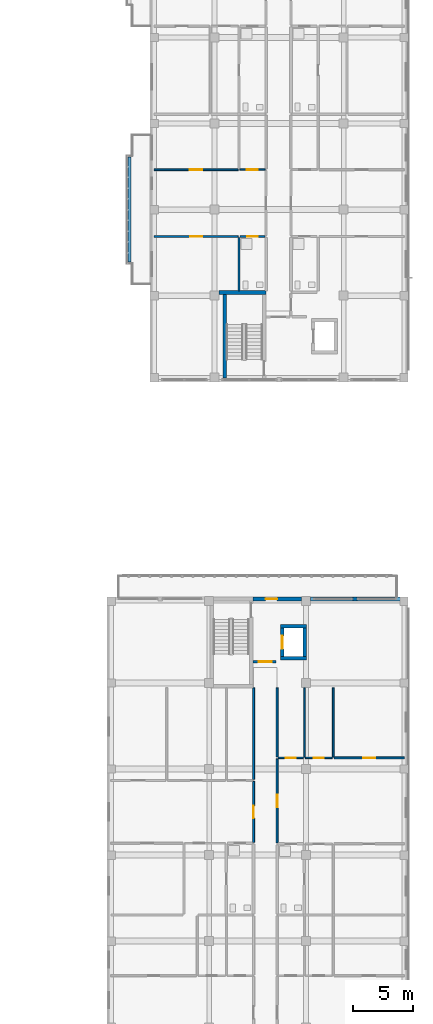
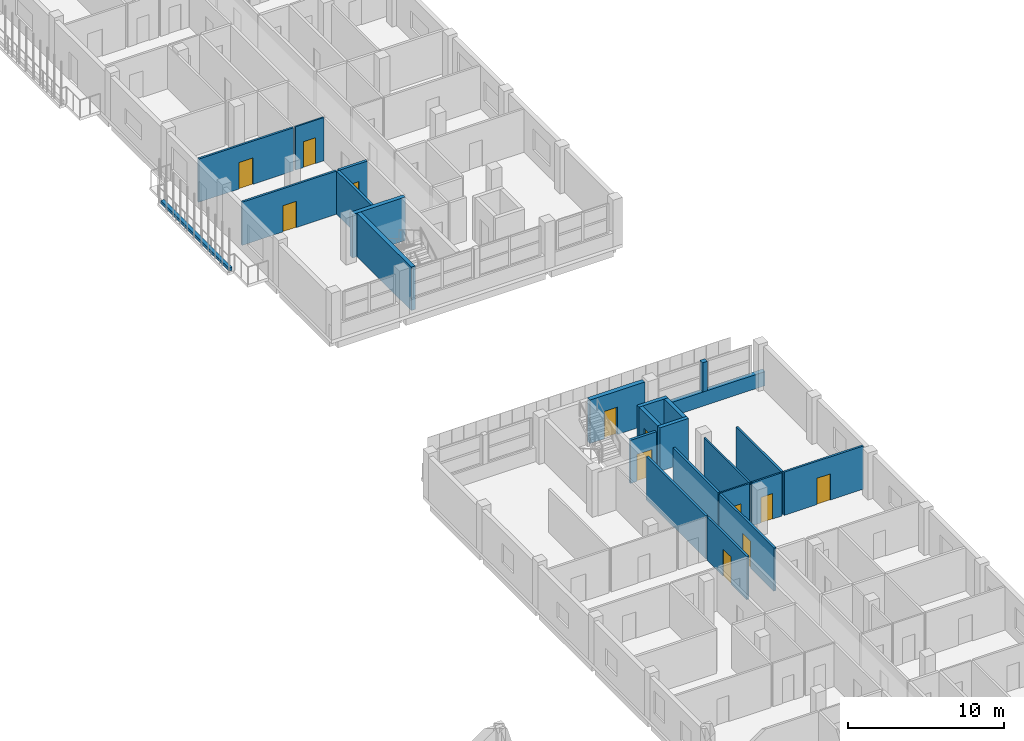
# One storey, part 49 of 73: 25 walls, 12 doors, 12 openings.
"""IFC4 building model written with IfcOpenShell, lengths in metres."""

import ifcopenshell
import ifcopenshell.guid

model = None  # the IFC model being written
_history = None  # IfcOwnerHistory: only IFC2X3 demands one
_inside = {}  # id of a spatial element -> (the spatial element, [elements in it])
_under = {}  # id of a project, library or spatial element -> (it, [spatial elements below it])
_declared = {}  # id of a project -> (the project, [libraries it declares])
_typed = {}  # id of a type object -> (the type object, [elements of that type])
_made_of = {}  # id of a material, layer set ... -> (it, [elements and type objects made of it])


def new_model(schema):
    """Start an empty IFC model of exactly this schema.

    Asked for "IFC4X3", IfcOpenShell would pick the latest addendum, in which some entities
    have other attributes; the version numbers below select the first issue.
    IFC2X3 requires an IfcOwnerHistory on every rooted entity: one is made here for all.
    """
    global model, _history
    if schema == "IFC4X3":
        model = ifcopenshell.file(schema_version=(4, 3, 0, 0))
    else:
        model = ifcopenshell.file(schema=schema)
    _inside.clear()
    _under.clear()
    _declared.clear()
    _typed.clear()
    _made_of.clear()
    _history = None
    if model.schema == "IFC2X3":
        org = make("IfcOrganization", Name="unknown")
        user = make(
            "IfcPersonAndOrganization",
            ThePerson=make("IfcPerson", FamilyName="unknown"),
            TheOrganization=org,
        )
        app = make(
            "IfcApplication",
            ApplicationDeveloper=org,
            Version="unknown",
            ApplicationFullName="unknown",
            ApplicationIdentifier="unknown",
        )
        _history = make(
            "IfcOwnerHistory",
            OwningUser=user,
            OwningApplication=app,
            ChangeAction="ADDED",
            CreationDate=0,
        )
    return model


def make(cls, **values):
    """One entity of the class cls with the attributes given. An attribute that is None is left unset."""
    return model.create_entity(
        cls, **{name: value for name, value in values.items() if value is not None}
    )


def rooted(cls, **values):
    """An entity with a GlobalId (a new one), such as an element, a storey or a relation."""
    return make(cls, GlobalId=ifcopenshell.guid.new(), OwnerHistory=_history, **values)


def si_unit(unit_type, name, prefix=None):
    """IfcSIUnit, for example si_unit("LENGTHUNIT", "METRE", prefix="MILLI")."""
    return make("IfcSIUnit", UnitType=unit_type, Prefix=prefix, Name=name)


def derived_unit(unit_type, elements):
    """IfcDerivedUnit: a product of units, each with its exponent."""
    return make(
        "IfcDerivedUnit",
        Elements=[
            make("IfcDerivedUnitElement", Unit=unit, Exponent=power)
            for unit, power in elements
        ],
        UnitType=unit_type,
    )


def assignment(units):
    """IfcUnitAssignment: the units of a project."""
    return None if units is None else make("IfcUnitAssignment", Units=units)


def point(xyz):
    """IfcCartesianPoint."""
    return None if xyz is None else make("IfcCartesianPoint", Coordinates=xyz)


def direction(xyz):
    """IfcDirection."""
    return None if xyz is None else make("IfcDirection", DirectionRatios=xyz)


def frame(location, z_axis=None, x_axis=None):
    """IfcAxis2Placement3D, a coordinate frame: its origin and axes. An axis left out is left unset."""
    return make(
        "IfcAxis2Placement3D",
        Location=point(location),
        Axis=direction(z_axis),
        RefDirection=direction(x_axis),
    )


def frame_2d(location, x_axis=None):
    """IfcAxis2Placement2D, a coordinate frame in the plane: its origin and x axis."""
    return make(
        "IfcAxis2Placement2D", Location=point(location), RefDirection=direction(x_axis)
    )


def origin():
    """The frame at (0, 0, 0) with its axes left unset."""
    return frame((0.0, 0.0, 0.0))


def place(relative_to, where):
    """IfcLocalPlacement: puts the frame where relative to a parent placement (None: the world)."""
    return make(
        "IfcLocalPlacement", PlacementRelTo=relative_to, RelativePlacement=where
    )


def context(
    kind, dimensions, precision=None, world=None, true_north=None, identifier=None
):
    """IfcGeometricRepresentationContext, for example the 3D "Model" context."""
    return make(
        "IfcGeometricRepresentationContext",
        ContextIdentifier=identifier,
        ContextType=kind,
        CoordinateSpaceDimension=dimensions,
        Precision=precision,
        WorldCoordinateSystem=world,
        TrueNorth=true_north,
    )


def subcontext(parent, identifier, kind, view, scale=None):
    """IfcGeometricRepresentationSubContext, for example "Body" below "Model"."""
    return make(
        "IfcGeometricRepresentationSubContext",
        ContextIdentifier=identifier,
        ContextType=kind,
        ParentContext=parent,
        TargetScale=scale,
        TargetView=view,
    )


def project(units=None, contexts=None):
    """IfcProject with its units and contexts."""
    return rooted(
        "IfcProject",
        Name="project",
        RepresentationContexts=contexts,
        UnitsInContext=assignment(units),
    )


def spatial(cls, under=None, at=None, **own):
    """A site, building, storey or space (cls), placed at a placement, below another one or the project."""
    s = rooted(cls, ObjectPlacement=at, **own)
    if under is not None:
        _under.setdefault(under.id(), (under, []))[1].append(s)
    return s


def profile(cls, at=None, kind="AREA", **sizes):
    """A parametric profile (cls). Its sizes go by their IFC names, for example OverallWidth=200.0."""
    return make(cls, ProfileType=kind, Position=at, **sizes)


def rectangle(**sizes):
    """IfcRectangleProfileDef."""
    return profile("IfcRectangleProfileDef", **sizes)


def extrude(swept, where, along, depth):
    """IfcExtrudedAreaSolid: the profile swept, set in the frame where, extruded along a direction by depth."""
    return make(
        "IfcExtrudedAreaSolid",
        SweptArea=swept,
        Position=where,
        ExtrudedDirection=direction(along),
        Depth=depth,
    )


def shape(context_of_items, identifier, shape_type, items):
    """IfcShapeRepresentation: the items that make up one representation, for example the "Body"."""
    return make(
        "IfcShapeRepresentation",
        ContextOfItems=context_of_items,
        RepresentationIdentifier=identifier,
        RepresentationType=shape_type,
        Items=items,
    )


def material(Name=None, Category=None):
    """IfcMaterial."""
    return make("IfcMaterial", Name=Name, Category=Category)


def layer(
    of_material, thickness, ventilated=None, Name=None, Category=None, Priority=None
):
    """IfcMaterialLayer: one layer of a wall or slab, of a material (None: an air gap)."""
    return make(
        "IfcMaterialLayer",
        Material=of_material,
        LayerThickness=thickness,
        IsVentilated=ventilated,
        Name=Name,
        Category=Category,
        Priority=Priority,
    )


def layer_set(layers, Name=None):
    """IfcMaterialLayerSet."""
    return make("IfcMaterialLayerSet", MaterialLayers=layers, LayerSetName=Name)


def made_of(thing, what):
    """Note that an element or type object is made of a material, layer set ...; save() writes the relation."""
    if what is not None:
        _made_of.setdefault(what.id(), (what, []))[1].append(thing)
    return thing


def type_object(cls, material=None, **own):
    """A type object (cls), such as IfcWallType, which elements share."""
    return made_of(rooted(cls, **own), material)


def element(
    cls,
    number,
    at=None,
    inside=None,
    cuts=None,
    type_object=None,
    material=None,
    context=None,
    identifier="Body",
    shape_type=None,
    held_by="IfcProductDefinitionShape",
    body=None,
    shapes=None,
    **own,
):
    """One element of the class cls, such as IfcWall. Its Tag is "e" and its number.

    at: its placement. inside: the storey or other place that contains it. cuts: it is an
    opening in that element (IfcRelVoidsElement). A single representation is given by context,
    identifier, shape_type and body (its items); several are given by shapes. held_by: the class
    of the entity that holds the representations. save() writes the other relations.
    """
    e = rooted(cls, Tag="e%d" % number, ObjectPlacement=at, **own)
    if body is not None:
        shapes = [shape(context, identifier, shape_type, body)]
    if shapes is not None:
        e.Representation = make(held_by, Representations=shapes)
    if inside is not None:
        _inside.setdefault(inside.id(), (inside, []))[1].append(e)
    if cuts is not None:
        rooted(
            "IfcRelVoidsElement", RelatingBuildingElement=cuts, RelatedOpeningElement=e
        )
    if type_object is not None:
        _typed.setdefault(type_object.id(), (type_object, []))[1].append(e)
    return made_of(e, material)


def fill(opening, filler):
    """IfcRelFillsElement: the door or window that sits in an opening."""
    return rooted(
        "IfcRelFillsElement",
        RelatingOpeningElement=opening,
        RelatedBuildingElement=filler,
    )


def aggregate(whole, parts):
    """IfcRelAggregates: a whole, such as a stair, and the parts it consists of."""
    return rooted("IfcRelAggregates", RelatingObject=whole, RelatedObjects=parts)


def save(model, path):
    """Write the relations noted so far, then the file.

    IfcRelAggregates (storeys below a building ...), IfcRelContainedInSpatialStructure (elements
    in a storey), IfcRelDefinesByType, IfcRelAssociatesMaterial and IfcRelDeclares: one each for
    every whole, place, type object, material and project.
    """
    for whole, parts in _under.values():
        aggregate(whole, parts)
    for where, things in _inside.values():
        rooted(
            "IfcRelContainedInSpatialStructure",
            RelatedElements=things,
            RelatingStructure=where,
        )
    for kind, things in _typed.values():
        rooted("IfcRelDefinesByType", RelatedObjects=things, RelatingType=kind)
    for what, things in _made_of.values():
        rooted("IfcRelAssociatesMaterial", RelatedObjects=things, RelatingMaterial=what)
    for by, libraries in _declared.values():
        rooted("IfcRelDeclares", RelatingContext=by, RelatedDefinitions=libraries)
    model.write(path)


model = new_model("IFC4")

# Units and contexts
model_context = context("Model", 3, precision=1e-05, world=origin(), true_north=direction((0.0, 1.0)))
body_context = subcontext(model_context, "Body", "Model", "MODEL_VIEW")
ifc_project = project(units=[si_unit("LENGTHUNIT", "METRE"), si_unit("AREAUNIT", "SQUARE_METRE"), si_unit("VOLUMEUNIT", "CUBIC_METRE"), si_unit("PLANEANGLEUNIT", "RADIAN"), si_unit("MASSUNIT", "GRAM", prefix="KILO"), derived_unit("THERMALTRANSMITTANCEUNIT", [(si_unit("MASSUNIT", "GRAM", prefix="KILO"), 1), (si_unit("TIMEUNIT", "SECOND"), -3), (si_unit("THERMODYNAMICTEMPERATUREUNIT", "KELVIN"), -1)])], contexts=[model_context])

# Site, building, storey
site_placement = place(None, origin())
site = spatial("IfcSite", under=ifc_project, at=site_placement, CompositionType="ELEMENT")
building_placement = place(site_placement, origin())
building = spatial("IfcBuilding", under=site, at=building_placement, Name="Ochrekiln Boulevard Commons", CompositionType="ELEMENT")
storey_placement = place(building_placement, frame((0.0, 0.0, 4.89990234375)))
storey = spatial("IfcBuildingStorey", under=building, at=storey_placement, Name="L01", CompositionType="ELEMENT", Elevation=4.89990234375)

# Wall
ifc_material_1 = material(Name="Desert ochre clinker brick masonry ASTM C216 Grade SW", Category="masonry")
ifc_layer_1 = layer(ifc_material_1, 0.330078125)
ifc_layer_set_1 = layer_set([ifc_layer_1], Name="Desert ochre clinker brick masonry ASTM C216 Grade SW")
wall_type_1 = type_object("IfcWallType", Name="WL-EXT-OCHRE-330", PredefinedType="SOLIDWALL", material=ifc_layer_set_1)
wall_1_placement = place(storey_placement, frame((168.169921875, 50.235107421875, 1.110107421875), z_axis=(0.0, 0.0, 1.0), x_axis=(1.0, 0.0, 0.0)))
element("IfcWall", 1, at=wall_1_placement, inside=storey, type_object=wall_type_1, Name="Block C L01 Courtyard Gable Mullion Pier", PredefinedType="SOLIDWALL", context=body_context, shape_type="SweptSolid", body=[
    extrude(rectangle(XDim=0.360107421875, YDim=0.330078125, at=frame_2d((0.18017578125, 0.0))), origin(), (0.0, 0.0, 1.0), 2.304931640625),
])

# Wall, opening, door
wall_2_placement = place(storey_placement, frame((159.800048828125, 50.235107421875, 0.0), z_axis=(0.0, 0.0, 1.0), x_axis=(1.0, 0.0, 0.0)))
wall_2 = element("IfcWall", 2, at=wall_2_placement, inside=storey, type_object=wall_type_1, Name="Block C L01 North Balcony Door Wall", PredefinedType="SOLIDWALL", context=body_context, shape_type="SweptSolid", body=[
    extrude(rectangle(XDim=4.074951171875, YDim=0.330078125, at=frame_2d((2.03759765625, 0.0))), origin(), (0.0, 0.0, 1.0), 3.4150390625),
])
opening_1_placement = place(wall_2_placement, frame((1.074951171875, 0.0, 0.0)))
opening_1 = element("IfcOpeningElement", 3, at=opening_1_placement, cuts=wall_2, Name="Opening D-L01-CBL", PredefinedType="OPENING", context=body_context, shape_type="SweptSolid", body=[
    extrude(rectangle(XDim=0.949951171875, YDim=2.14990234375, at=frame_2d((0.47509765625, 1.074951171875))), frame((0.0, 0.175048828125, 0.0), z_axis=(0.0, -1.0, 0.0), x_axis=(1.0, 0.0, 0.0)), (0.0, 0.0, 1.0), 0.35009765625),
])
ifc_material_2 = material(Name="Thermally broken aluminium-clad oak frame", Category="aluminium")
door_type_1 = type_object("IfcDoorType", Name="DR-EXT-BAL-095", OperationType="NOTDEFINED", PredefinedType="DOOR", material=ifc_material_2)
door_1_placement = place(opening_1_placement, origin())
door_1 = element("IfcDoor", 4, at=door_1_placement, inside=storey, type_object=door_type_1, Name="Block C L01 North Courtyard Balcony Door", OperationType="SINGLE_SWING_LEFT", OverallHeight=2.14990234375, OverallWidth=0.949951171875, PredefinedType="DOOR", context=body_context, shape_type="SweptSolid", body=[
    extrude(rectangle(XDim=0.949951171875, YDim=2.14990234375, at=frame_2d((0.47509765625, 1.074951171875))), frame((0.0, 0.02490234375, 0.0), z_axis=(0.0, -1.0, 0.0), x_axis=(1.0, 0.0, 0.0)), (0.0, 0.0, 1.0), 0.050048828125),
])
fill(opening_1, door_1)

# Wall
wall_3_placement = place(storey_placement, frame((164.625, 50.235107421875, 0.0), z_axis=(0.0, 0.0, 1.0), x_axis=(1.0, 0.0, 0.0)))
element("IfcWall", 5, at=wall_3_placement, inside=storey, type_object=wall_type_1, Name="Block C L01 Courtyard Gable Sill Wall R", PredefinedType="SOLIDWALL", context=body_context, shape_type="SweptSolid", body=[
    extrude(rectangle(XDim=8.175048828125, YDim=0.330078125, at=frame_2d((4.08740234375, 0.0))), origin(), (0.0, 0.0, 1.0), 1.110107421875),
])

# Wall, opening, door
ifc_material_3 = material(Name="Moisture-resistant cementitious tile backer wall")
ifc_layer_2 = layer(ifc_material_3, 0.199951171875)
ifc_layer_set_2 = layer_set([ifc_layer_2], Name="Moisture-resistant cementitious tile backer wall")
wall_type_2 = type_object("IfcWallType", Name="WL-PLM-200", PredefinedType="PLUMBINGWALL", material=ifc_layer_set_2)
wall_4_placement = place(storey_placement, frame((158.719970703125, 80.554931640625, 0.0), z_axis=(0.0, 0.0, 1.0), x_axis=(1.0, 0.0, 0.0)))
wall_4 = element("IfcWall", 6, at=wall_4_placement, inside=storey, type_object=wall_type_2, Name="L01 Interior Wall W-PW200", PredefinedType="PLUMBINGWALL", context=body_context, shape_type="SweptSolid", body=[
    extrude(rectangle(XDim=2.10693359375, YDim=0.199951171875, at=frame_2d((1.053466796875, 0.0))), origin(), (0.0, 0.0, 1.0), 3.39501953125),
])
opening_2_placement = place(wall_4_placement, frame((0.6201171875, 0.0, 0.0)))
opening_2 = element("IfcOpeningElement", 7, at=opening_2_placement, cuts=wall_4, Name="Opening D-L01-184", PredefinedType="OPENING", context=body_context, shape_type="SweptSolid", body=[
    extrude(rectangle(XDim=0.860107421875, YDim=2.0, at=frame_2d((0.43017578125, 1.0))), frame((0.0, 0.10986328125, 0.0), z_axis=(0.0, -1.0, 0.0), x_axis=(1.0, 0.0, 0.0)), (0.0, 0.0, 1.0), 0.219970703125),
])
ifc_material_4 = material(Name="Solid core architectural oak door leaf")
door_type_2 = type_object("IfcDoorType", Name="DR-INT-BTH-086", OperationType="NOTDEFINED", PredefinedType="DOOR", material=ifc_material_4)
door_2_placement = place(opening_2_placement, frame((0.860107421875, 0.0, 0.0), z_axis=(0.0, 0.0, 1.0), x_axis=(-1.0, 0.0, 0.0)))
door_2 = element("IfcDoor", 8, at=door_2_placement, inside=storey, type_object=door_type_2, Name="L01 Interior Door to Accessible Apartment Bathroom", OperationType="SINGLE_SWING_RIGHT", OverallHeight=2.0, OverallWidth=0.860107421875, PredefinedType="DOOR", context=body_context, shape_type="SweptSolid", body=[
    extrude(rectangle(XDim=0.860107421875, YDim=2.0, at=frame_2d((0.43017578125, 1.0))), frame((0.0, 0.02490234375, 0.0), z_axis=(0.0, -1.0, 0.0), x_axis=(1.0, 0.0, 0.0)), (0.0, 0.0, 1.0), 0.050048828125),
])
fill(opening_2, door_2)

# Walls
wall_5_placement = place(storey_placement, frame((158.639892578125, 76.0, 0.0), z_axis=(0.0, 0.0, 1.0), x_axis=(0.0, 1.0, 0.0)))
element("IfcWall", 9, at=wall_5_placement, inside=storey, type_object=wall_type_2, Name="L01 Interior Wall W-PW200", PredefinedType="PLUMBINGWALL", context=body_context, shape_type="SweptSolid", body=[
    extrude(rectangle(XDim=4.47998046875, YDim=0.199951171875, at=frame_2d((2.239990234375, 0.0))), origin(), (0.0, 0.0, 1.0), 3.39501953125),
])
ifc_material_5 = material(Name="Glazed architectural terracotta ASTM C1405", Category="masonry")
ifc_layer_3 = layer(ifc_material_5, 0.25)
ifc_layer_set_3 = layer_set([ifc_layer_3], Name="Glazed architectural terracotta ASTM C1405")
wall_type_3 = type_object("IfcWallType", Name="WL-PLN-250", PredefinedType="PARAPET", material=ifc_layer_set_3)
wall_6_placement = place(storey_placement, frame((149.47998046875, 78.409912109375, 0.0), z_axis=(0.0, 0.0, 1.0), x_axis=(0.0, 1.0, 0.0)))
element("IfcWall", 10, at=wall_6_placement, inside=storey, type_object=wall_type_3, Name="Block B L01 Balcony Terracotta Planter Box 1", PredefinedType="PARAPET", context=body_context, shape_type="SweptSolid", body=[
    extrude(rectangle(XDim=8.780029296875, YDim=0.25, at=frame_2d((4.39013671875, 0.0))), origin(), (0.0, 0.0, 1.0), 0.22998046875),
])

# Wall, opening, door
ifc_material_6 = material(Name="Fire-rated Type X gypsum board on steel studs", Category="steel")
ifc_layer_4 = layer(ifc_material_6, 0.1650390625)
ifc_layer_set_4 = layer_set([ifc_layer_4], Name="Fire-rated Type X gypsum board on steel studs")
wall_type_4 = type_object("IfcWallType", Name="WL-PT-CORR-165", PredefinedType="PARTITIONING", material=ifc_layer_set_4)
wall_7_placement = place(storey_placement, frame((159.860107421875, 29.8720703125, 0.0), z_axis=(0.0, 0.0, 1.0), x_axis=(0.0, 1.0, 0.0)))
wall_7 = element("IfcWall", 11, at=wall_7_placement, inside=storey, type_object=wall_type_4, Name="L01 Interior Wall W-PC165", PredefinedType="PARTITIONING", context=body_context, shape_type="SweptSolid", body=[
    extrude(rectangle(XDim=5.097900390625, YDim=0.1650390625, at=frame_2d((2.548828125, 0.0))), origin(), (0.0, 0.0, 1.0), 3.39501953125),
])
opening_3_placement = place(wall_7_placement, frame((2.02392578125, 0.0, 0.0)))
opening_3 = element("IfcOpeningElement", 12, at=opening_3_placement, cuts=wall_7, Name="Opening D-L01-210", PredefinedType="OPENING", context=body_context, shape_type="SweptSolid", body=[
    extrude(rectangle(XDim=1.050048828125, YDim=2.1298828125, at=frame_2d((0.52490234375, 1.06494140625))), frame((0.0, 0.092529296875, 0.0), z_axis=(0.0, -1.0, 0.0), x_axis=(1.0, 0.0, 0.0)), (0.0, 0.0, 1.0), 0.18505859375),
])
door_type_3 = type_object("IfcDoorType", Name="DR-INT-APT-105", OperationType="NOTDEFINED", PredefinedType="DOOR", material=ifc_material_4)
door_3_placement = place(opening_3_placement, origin())
door_3 = element("IfcDoor", 13, at=door_3_placement, inside=storey, type_object=door_type_3, Name="L01 Interior Door to Two-Bedroom Apartment Living Room", OperationType="SINGLE_SWING_RIGHT", OverallHeight=2.1298828125, OverallWidth=1.050048828125, PredefinedType="DOOR", context=body_context, shape_type="SweptSolid", body=[
    extrude(rectangle(XDim=1.050048828125, YDim=2.1298828125, at=frame_2d((0.52490234375, 1.06494140625))), frame((0.0, 0.02490234375, 0.0), z_axis=(0.0, -1.0, 0.0), x_axis=(1.0, 0.0, 0.0)), (0.0, 0.0, 1.0), 0.050048828125),
])
fill(opening_3, door_3)

# Wall
wall_8_placement = place(storey_placement, frame((159.860107421875, 35.1298828125, 0.0), z_axis=(0.0, 0.0, 1.0), x_axis=(0.0, 1.0, 0.0)))
element("IfcWall", 14, at=wall_8_placement, inside=storey, type_object=wall_type_4, Name="L01 Interior Wall W-PC165", PredefinedType="PARTITIONING", context=body_context, shape_type="SweptSolid", body=[
    extrude(rectangle(XDim=7.670166015625, YDim=0.1650390625, at=frame_2d((3.8349609375, 0.0))), origin(), (0.0, 0.0, 1.0), 3.39501953125),
])

# Wall, opening, door
wall_9_placement = place(storey_placement, frame((161.840087890625, 29.826904296875, 0.0), z_axis=(0.0, 0.0, 1.0), x_axis=(0.0, 1.0, 0.0)))
wall_9 = element("IfcWall", 15, at=wall_9_placement, inside=storey, type_object=wall_type_4, Name="L01 Interior Wall W-PC165", PredefinedType="PARTITIONING", context=body_context, shape_type="SweptSolid", body=[
    extrude(rectangle(XDim=7.028076171875, YDim=0.1650390625, at=frame_2d((3.51416015625, 0.0))), origin(), (0.0, 0.0, 1.0), 3.39501953125),
])
opening_4_placement = place(wall_9_placement, frame((2.989013671875, 0.0, 0.0)))
opening_4 = element("IfcOpeningElement", 16, at=opening_4_placement, cuts=wall_9, Name="Opening D-L01-212", PredefinedType="OPENING", context=body_context, shape_type="SweptSolid", body=[
    extrude(rectangle(XDim=1.050048828125, YDim=2.1298828125, at=frame_2d((0.52490234375, 1.06494140625))), frame((0.0, 0.092529296875, 0.0), z_axis=(0.0, -1.0, 0.0), x_axis=(1.0, 0.0, 0.0)), (0.0, 0.0, 1.0), 0.18505859375),
])
door_4_placement = place(opening_4_placement, frame((1.050048828125, 0.0, 0.0), z_axis=(0.0, 0.0, 1.0), x_axis=(-1.0, 0.0, 0.0)))
door_4 = element("IfcDoor", 17, at=door_4_placement, inside=storey, type_object=door_type_3, Name="L01 Interior Door to Two-Bedroom Apartment Living Room", OperationType="SINGLE_SWING_RIGHT", OverallHeight=2.1298828125, OverallWidth=1.050048828125, PredefinedType="DOOR", context=body_context, shape_type="SweptSolid", body=[
    extrude(rectangle(XDim=1.050048828125, YDim=2.1298828125, at=frame_2d((0.52490234375, 1.06494140625))), frame((0.0, 0.02490234375, 0.0), z_axis=(0.0, -1.0, 0.0), x_axis=(1.0, 0.0, 0.0)), (0.0, 0.0, 1.0), 0.050048828125),
])
fill(opening_4, door_4)

# Wall
wall_10_placement = place(storey_placement, frame((161.840087890625, 37.014892578125, 0.0), z_axis=(0.0, 0.0, 1.0), x_axis=(0.0, 1.0, 0.0)))
element("IfcWall", 18, at=wall_10_placement, inside=storey, type_object=wall_type_4, Name="L01 Interior Wall W-PC165", PredefinedType="PARTITIONING", context=body_context, shape_type="SweptSolid", body=[
    extrude(rectangle(XDim=5.78515625, YDim=0.1650390625, at=frame_2d((2.892578125, 0.0))), origin(), (0.0, 0.0, 1.0), 3.39501953125),
])

# Wall, opening, door
ifc_layer_5 = layer(ifc_material_6, 0.18994140625)
ifc_layer_set_5 = layer_set([ifc_layer_5], Name="Fire-rated Type X gypsum board on steel studs")
wall_type_5 = type_object("IfcWallType", Name="WL-PT-LBY-190", PredefinedType="PARTITIONING", material=ifc_layer_set_5)
wall_11_placement = place(storey_placement, frame((159.800048828125, 44.97998046875, 0.0), z_axis=(0.0, 0.0, 1.0), x_axis=(1.0, 0.0, 0.0)))
wall_11 = element("IfcWall", 19, at=wall_11_placement, inside=storey, type_object=wall_type_5, Name="L01 Interior Wall W-PL190", PredefinedType="PARTITIONING", context=body_context, shape_type="SweptSolid", body=[
    extrude(rectangle(XDim=1.949951171875, YDim=0.18994140625, at=frame_2d((0.97509765625, 0.0))), origin(), (0.0, 0.0, 1.0), 3.39501953125),
])
opening_5_placement = place(wall_11_placement, frame((0.5, 0.0, 0.0)))
opening_5 = element("IfcOpeningElement", 20, at=opening_5_placement, cuts=wall_11, Name="Opening D-L01-207", PredefinedType="OPENING", context=body_context, shape_type="SweptSolid", body=[
    extrude(rectangle(XDim=1.10009765625, YDim=2.1201171875, at=frame_2d((0.550048828125, 1.06005859375))), frame((0.0, 0.10498046875, 0.0), z_axis=(0.0, -1.0, 0.0), x_axis=(1.0, 0.0, 0.0)), (0.0, 0.0, 1.0), 0.2099609375),
])
ifc_material_7 = material(Name="Hollow metal fire-rated steel door assembly", Category="steel")
door_type_4 = type_object("IfcDoorType", Name="DR-LOBBY-60", OperationType="NOTDEFINED", PredefinedType="DOOR", material=ifc_material_7)
door_5_placement = place(opening_5_placement, origin())
door_5 = element("IfcDoor", 21, at=door_5_placement, inside=storey, type_object=door_type_4, Name="L01 Interior Door to Passenger Elevator Lobby", OperationType="SINGLE_SWING_LEFT", OverallHeight=2.1201171875, OverallWidth=1.10009765625, PredefinedType="DOOR", context=body_context, shape_type="SweptSolid", body=[
    extrude(rectangle(XDim=1.10009765625, YDim=2.1201171875, at=frame_2d((0.550048828125, 1.06005859375))), frame((0.0, 0.02490234375, 0.0), z_axis=(0.0, -1.0, 0.0), x_axis=(1.0, 0.0, 0.0)), (0.0, 0.0, 1.0), 0.050048828125),
])
fill(opening_5, door_5)

ifc_layer_6 = layer(ifc_material_6, 0.1201171875)
ifc_layer_set_6 = layer_set([ifc_layer_6], Name="Fire-rated Type X gypsum board on steel studs")
wall_type_6 = type_object("IfcWallType", Name="WL-PT-LGT-120", PredefinedType="PARTITIONING", material=ifc_layer_set_6)
wall_12_placement = place(storey_placement, frame((158.719970703125, 86.138916015625, 0.0), z_axis=(0.0, 0.0, 1.0), x_axis=(1.0, 0.0, 0.0)))
wall_12 = element("IfcWall", 22, at=wall_12_placement, inside=storey, type_object=wall_type_6, Name="L01 Interior Wall W-PL120", PredefinedType="PARTITIONING", context=body_context, shape_type="SweptSolid", body=[
    extrude(rectangle(XDim=2.10693359375, YDim=0.1201171875, at=frame_2d((1.053466796875, 0.0))), origin(), (0.0, 0.0, 1.0), 3.39501953125),
])
opening_6_placement = place(wall_12_placement, frame((0.590087890625, 0.0, 0.0)))
opening_6 = element("IfcOpeningElement", 23, at=opening_6_placement, cuts=wall_12, Name="Opening D-L01-185", PredefinedType="OPENING", context=body_context, shape_type="SweptSolid", body=[
    extrude(rectangle(XDim=0.919921875, YDim=2.02001953125, at=frame_2d((0.4599609375, 1.010009765625))), frame((0.0, 0.070068359375, 0.0), z_axis=(0.0, -1.0, 0.0), x_axis=(1.0, 0.0, 0.0)), (0.0, 0.0, 1.0), 0.14013671875),
])
door_type_5 = type_object("IfcDoorType", Name="DR-INT-KIT-092", OperationType="NOTDEFINED", PredefinedType="DOOR", material=ifc_material_4)
door_6_placement = place(opening_6_placement, origin())
door_6 = element("IfcDoor", 24, at=door_6_placement, inside=storey, type_object=door_type_5, Name="L01 Interior Door to Apartment Kitchen", OperationType="SINGLE_SWING_LEFT", OverallHeight=2.02001953125, OverallWidth=0.919921875, PredefinedType="DOOR", context=body_context, shape_type="SweptSolid", body=[
    extrude(rectangle(XDim=0.919921875, YDim=2.02001953125, at=frame_2d((0.4599609375, 1.010009765625))), frame((0.0, 0.02490234375, 0.0), z_axis=(0.0, -1.0, 0.0), x_axis=(1.0, 0.0, 0.0)), (0.0, 0.0, 1.0), 0.050048828125),
])
fill(opening_6, door_6)

wall_13_placement = place(storey_placement, frame((161.923095703125, 36.93505859375, 0.0), z_axis=(0.0, 0.0, 1.0), x_axis=(1.0, 0.0, 0.0)))
wall_13 = element("IfcWall", 25, at=wall_13_placement, inside=storey, type_object=wall_type_6, Name="L01 Interior Wall W-PL120", PredefinedType="PARTITIONING", context=body_context, shape_type="SweptSolid", body=[
    extrude(rectangle(XDim=2.10693359375, YDim=0.1201171875, at=frame_2d((1.053466796875, 0.0))), origin(), (0.0, 0.0, 1.0), 3.39501953125),
])
opening_7_placement = place(wall_13_placement, frame((0.632080078125, 0.0, 0.0)))
opening_7 = element("IfcOpeningElement", 26, at=opening_7_placement, cuts=wall_13, Name="Opening D-L01-235", PredefinedType="OPENING", context=body_context, shape_type="SweptSolid", body=[
    extrude(rectangle(XDim=0.85009765625, YDim=2.010009765625, at=frame_2d((0.425048828125, 1.0048828125))), frame((0.0, 0.070068359375, 0.0), z_axis=(0.0, -1.0, 0.0), x_axis=(1.0, 0.0, 0.0)), (0.0, 0.0, 1.0), 0.14013671875),
])
door_type_6 = type_object("IfcDoorType", Name="DR-INT-KIT-085", OperationType="NOTDEFINED", PredefinedType="DOOR", material=ifc_material_4)
door_7_placement = place(opening_7_placement, origin())
door_7 = element("IfcDoor", 27, at=door_7_placement, inside=storey, type_object=door_type_6, Name="L01 Interior Door to Apartment Kitchen", OperationType="SINGLE_SWING_LEFT", OverallHeight=2.010009765625, OverallWidth=0.85009765625, PredefinedType="DOOR", context=body_context, shape_type="SweptSolid", body=[
    extrude(rectangle(XDim=0.85009765625, YDim=2.010009765625, at=frame_2d((0.425048828125, 1.0048828125))), frame((0.0, 0.02490234375, 0.0), z_axis=(0.0, -1.0, 0.0), x_axis=(1.0, 0.0, 0.0)), (0.0, 0.0, 1.0), 0.050048828125),
])
fill(opening_7, door_7)

wall_14_placement = place(storey_placement, frame((164.18994140625, 36.93505859375, 0.0), z_axis=(0.0, 0.0, 1.0), x_axis=(1.0, 0.0, 0.0)))
wall_14 = element("IfcWall", 28, at=wall_14_placement, inside=storey, type_object=wall_type_6, Name="L01 Interior Wall W-PL120", PredefinedType="PARTITIONING", context=body_context, shape_type="SweptSolid", body=[
    extrude(rectangle(XDim=2.25, YDim=0.1201171875, at=frame_2d((1.125, 0.0))), origin(), (0.0, 0.0, 1.0), 3.39501953125),
])
opening_8_placement = place(wall_14_placement, frame((0.699951171875, 0.0, 0.0)))
opening_8 = element("IfcOpeningElement", 29, at=opening_8_placement, cuts=wall_14, Name="Opening D-L01-239", PredefinedType="OPENING", context=body_context, shape_type="SweptSolid", body=[
    extrude(rectangle(XDim=0.85009765625, YDim=2.010009765625, at=frame_2d((0.425048828125, 1.0048828125))), frame((0.0, 0.070068359375, 0.0), z_axis=(0.0, -1.0, 0.0), x_axis=(1.0, 0.0, 0.0)), (0.0, 0.0, 1.0), 0.14013671875),
])
door_8_placement = place(opening_8_placement, origin())
door_8 = element("IfcDoor", 30, at=door_8_placement, inside=storey, type_object=door_type_6, Name="L01 Interior Door to Apartment Walk-In Wardrobe", OperationType="SINGLE_SWING_LEFT", OverallHeight=2.010009765625, OverallWidth=0.85009765625, PredefinedType="DOOR", context=body_context, shape_type="SweptSolid", body=[
    extrude(rectangle(XDim=0.85009765625, YDim=2.010009765625, at=frame_2d((0.425048828125, 1.0048828125))), frame((0.0, 0.02490234375, 0.0), z_axis=(0.0, -1.0, 0.0), x_axis=(1.0, 0.0, 0.0)), (0.0, 0.0, 1.0), 0.050048828125),
])
fill(opening_8, door_8)

# Wall
wall_15_placement = place(storey_placement, frame((164.110107421875, 36.9951171875, 0.0), z_axis=(0.0, 0.0, 1.0), x_axis=(0.0, 1.0, 0.0)))
element("IfcWall", 31, at=wall_15_placement, inside=storey, type_object=wall_type_6, Name="L01 Interior Wall W-PL120", PredefinedType="PARTITIONING", context=body_context, shape_type="SweptSolid", body=[
    extrude(rectangle(XDim=5.804931640625, YDim=0.1201171875, at=frame_2d((2.90234375, 0.0))), origin(), (0.0, 0.0, 1.0), 3.39501953125),
])

# Wall, opening, door
ifc_layer_7 = layer(ifc_material_6, 0.14990234375)
ifc_layer_set_7 = layer_set([ifc_layer_7], Name="Fire-rated Type X gypsum board on steel studs")
wall_type_7 = type_object("IfcWallType", Name="WL-PT-STD-150", PredefinedType="PARTITIONING", material=ifc_layer_set_7)
wall_16_placement = place(storey_placement, frame((151.5400390625, 80.554931640625, 0.0), z_axis=(0.0, 0.0, 1.0), x_axis=(1.0, 0.0, 0.0)))
wall_16 = element("IfcWall", 32, at=wall_16_placement, inside=storey, type_object=wall_type_7, Name="L01 Interior Wall W-PS150", PredefinedType="PARTITIONING", context=body_context, shape_type="SweptSolid", body=[
    extrude(rectangle(XDim=7.02001953125, YDim=0.14990234375, at=frame_2d((3.510009765625, 0.0))), origin(), (0.0, 0.0, 1.0), 3.39501953125),
])
opening_9_placement = place(wall_16_placement, frame((3.014892578125, 0.0, 0.0)))
opening_9 = element("IfcOpeningElement", 33, at=opening_9_placement, cuts=wall_16, Name="Opening D-L01-186", PredefinedType="OPENING", context=body_context, shape_type="SweptSolid", body=[
    extrude(rectangle(XDim=1.0, YDim=2.06005859375, at=frame_2d((0.5, 1.030029296875))), frame((0.0, 0.0849609375, 0.0), z_axis=(0.0, -1.0, 0.0), x_axis=(1.0, 0.0, 0.0)), (0.0, 0.0, 1.0), 0.169921875),
])
door_type_7 = type_object("IfcDoorType", Name="DR-INT-BED-100", OperationType="NOTDEFINED", PredefinedType="DOOR", material=ifc_material_4)
door_9_placement = place(opening_9_placement, frame((1.0, 0.0, 0.0), z_axis=(0.0, 0.0, 1.0), x_axis=(-1.0, 0.0, 0.0)))
door_9 = element("IfcDoor", 34, at=door_9_placement, inside=storey, type_object=door_type_7, Name="L01 Interior Door to Primary Apartment Bedroom", OperationType="SINGLE_SWING_RIGHT", OverallHeight=2.06005859375, OverallWidth=1.0, PredefinedType="DOOR", context=body_context, shape_type="SweptSolid", body=[
    extrude(rectangle(XDim=1.0, YDim=2.06005859375, at=frame_2d((0.5, 1.030029296875))), frame((0.0, 0.02490234375, 0.0), z_axis=(0.0, -1.0, 0.0), x_axis=(1.0, 0.0, 0.0)), (0.0, 0.0, 1.0), 0.050048828125),
])
fill(opening_9, door_9)

wall_17_placement = place(storey_placement, frame((151.5400390625, 86.138916015625, 0.0), z_axis=(0.0, 0.0, 1.0), x_axis=(1.0, 0.0, 0.0)))
wall_17 = element("IfcWall", 35, at=wall_17_placement, inside=storey, type_object=wall_type_7, Name="L01 Interior Wall W-PS150", PredefinedType="PARTITIONING", context=body_context, shape_type="SweptSolid", body=[
    extrude(rectangle(XDim=7.02001953125, YDim=0.14990234375, at=frame_2d((3.510009765625, 0.0))), origin(), (0.0, 0.0, 1.0), 3.39501953125),
])
opening_10_placement = place(wall_17_placement, frame((2.9951171875, 0.0, 0.0)))
opening_10 = element("IfcOpeningElement", 36, at=opening_10_placement, cuts=wall_17, Name="Opening D-L01-187", PredefinedType="OPENING", context=body_context, shape_type="SweptSolid", body=[
    extrude(rectangle(XDim=1.0400390625, YDim=2.080078125, at=frame_2d((0.52001953125, 1.0400390625))), frame((0.0, 0.0849609375, 0.0), z_axis=(0.0, -1.0, 0.0), x_axis=(1.0, 0.0, 0.0)), (0.0, 0.0, 1.0), 0.169921875),
])
door_type_8 = type_object("IfcDoorType", Name="DR-INT-BED-104", OperationType="NOTDEFINED", PredefinedType="DOOR", material=ifc_material_4)
door_10_placement = place(opening_10_placement, origin())
door_10 = element("IfcDoor", 37, at=door_10_placement, inside=storey, type_object=door_type_8, Name="L01 Interior Door to Secondary Apartment Bedroom", OperationType="SINGLE_SWING_LEFT", OverallHeight=2.080078125, OverallWidth=1.0400390625, PredefinedType="DOOR", context=body_context, shape_type="SweptSolid", body=[
    extrude(rectangle(XDim=1.0400390625, YDim=2.080078125, at=frame_2d((0.52001953125, 1.0400390625))), frame((0.0, 0.02490234375, 0.0), z_axis=(0.0, -1.0, 0.0), x_axis=(1.0, 0.0, 0.0)), (0.0, 0.0, 1.0), 0.050048828125),
])
fill(opening_10, door_10)

wall_18_placement = place(storey_placement, frame((166.60009765625, 36.93505859375, 0.0), z_axis=(0.0, 0.0, 1.0), x_axis=(1.0, 0.0, 0.0)))
wall_18 = element("IfcWall", 38, at=wall_18_placement, inside=storey, type_object=wall_type_7, Name="L01 Interior Wall W-PS150", PredefinedType="PARTITIONING", context=body_context, shape_type="SweptSolid", body=[
    extrude(rectangle(XDim=5.869873046875, YDim=0.14990234375, at=frame_2d((2.93505859375, 0.0))), origin(), (0.0, 0.0, 1.0), 3.39501953125),
])
opening_11_placement = place(wall_18_placement, frame((2.425048828125, 0.0, 0.0)))
opening_11 = element("IfcOpeningElement", 39, at=opening_11_placement, cuts=wall_18, Name="Opening D-L01-238", PredefinedType="OPENING", context=body_context, shape_type="SweptSolid", body=[
    extrude(rectangle(XDim=1.0, YDim=2.06005859375, at=frame_2d((0.5, 1.030029296875))), frame((0.0, 0.0849609375, 0.0), z_axis=(0.0, -1.0, 0.0), x_axis=(1.0, 0.0, 0.0)), (0.0, 0.0, 1.0), 0.169921875),
])
door_11_placement = place(opening_11_placement, origin())
door_11 = element("IfcDoor", 40, at=door_11_placement, inside=storey, type_object=door_type_7, Name="L01 Interior Door to Secondary Apartment Bedroom", OperationType="SINGLE_SWING_RIGHT", OverallHeight=2.06005859375, OverallWidth=1.0, PredefinedType="DOOR", context=body_context, shape_type="SweptSolid", body=[
    extrude(rectangle(XDim=1.0, YDim=2.06005859375, at=frame_2d((0.5, 1.030029296875))), frame((0.0, 0.02490234375, 0.0), z_axis=(0.0, -1.0, 0.0), x_axis=(1.0, 0.0, 0.0)), (0.0, 0.0, 1.0), 0.050048828125),
])
fill(opening_11, door_11)

# Walls
wall_19_placement = place(storey_placement, frame((166.52001953125, 36.9951171875, 0.0), z_axis=(0.0, 0.0, 1.0), x_axis=(0.0, 1.0, 0.0)))
element("IfcWall", 41, at=wall_19_placement, inside=storey, type_object=wall_type_7, Name="L01 Interior Wall W-PS150", PredefinedType="PARTITIONING", context=body_context, shape_type="SweptSolid", body=[
    extrude(rectangle(XDim=5.804931640625, YDim=0.14990234375, at=frame_2d((2.90234375, 0.0))), origin(), (0.0, 0.0, 1.0), 3.39501953125),
])
ifc_material_8 = material(Name="Concrete C40/50", Category="concrete")
ifc_layer_8 = layer(ifc_material_8, 0.27490234375)
ifc_layer_set_8 = layer_set([ifc_layer_8], Name="Concrete C40/50")
wall_type_8 = type_object("IfcWallType", Name="WL-SH-275", PredefinedType="SHEAR", material=ifc_layer_set_8)
for number, where, z_axis, x_axis, name in (
    (42, (162.125, 45.262451171875, 0.0), (0.0, 0.0, 1.0), (1.0, 0.0, 0.0), "Elevator LP-C2 L01 Hoistway Shear Wall"),
    (43, (162.125, 47.9375, 0.0), (0.0, 0.0, 1.0), (1.0, 0.0, 0.0), "Elevator LP-C2 L01 Hoistway Shear Wall"),
):
    element("IfcWall", number, at=place(storey_placement, frame(where, z_axis=z_axis, x_axis=x_axis)), inside=storey, type_object=wall_type_8, Name=name, PredefinedType="SHEAR", context=body_context, shape_type="SweptSolid", body=[
        extrude(rectangle(XDim=2.14990234375, YDim=0.27490234375, at=frame_2d((1.074951171875, 0.0))), origin(), (0.0, 0.0, 1.0), 3.4150390625),
    ])

# Wall, opening, door
wall_20_placement = place(storey_placement, frame((162.262451171875, 45.39990234375, 0.0), z_axis=(0.0, 0.0, 1.0), x_axis=(0.0, 1.0, 0.0)))
wall_20 = element("IfcWall", 44, at=wall_20_placement, inside=storey, type_object=wall_type_8, Name="Elevator LP-C2 L01 Hoistway Shear Wall", PredefinedType="SHEAR", context=body_context, shape_type="SweptSolid", body=[
    extrude(rectangle(XDim=2.400146484375, YDim=0.27490234375, at=frame_2d((1.2001953125, 0.0))), origin(), (0.0, 0.0, 1.0), 3.4150390625),
])
opening_12_placement = place(wall_20_placement, frame((0.64990234375, 0.0, 0.0)))
opening_12 = element("IfcOpeningElement", 45, at=opening_12_placement, cuts=wall_20, Name="Opening LD-LP-C2-L01", PredefinedType="OPENING", context=body_context, shape_type="SweptSolid", body=[
    extrude(rectangle(XDim=1.10009765625, YDim=2.14990234375, at=frame_2d((0.550048828125, 1.074951171875))), frame((0.0, 0.1474609375, 0.0), z_axis=(0.0, -1.0, 0.0), x_axis=(1.0, 0.0, 0.0)), (0.0, 0.0, 1.0), 0.294921875),
])
ifc_material_9 = material(Name="Brushed stainless steel 316 elevator cab and doors", Category="steel")
door_type_9 = type_object("IfcDoorType", Name="DR-LIFT-LD90", OperationType="SLIDING_TO_LEFT", PredefinedType="DOOR", material=ifc_material_9)
door_12_placement = place(opening_12_placement, origin())
door_12 = element("IfcDoor", 46, at=door_12_placement, inside=storey, type_object=door_type_9, Name="Elevator LP-C2 L01 Sliding Landing Door LD-LP-C2-L01", OperationType="SLIDING_TO_LEFT", OverallHeight=2.14990234375, OverallWidth=1.10009765625, PredefinedType="DOOR", context=body_context, shape_type="SweptSolid", body=[
    extrude(rectangle(XDim=1.10009765625, YDim=2.14990234375, at=frame_2d((0.550048828125, 1.074951171875))), frame((0.0, 0.02490234375, 0.0), z_axis=(0.0, -1.0, 0.0), x_axis=(1.0, 0.0, 0.0)), (0.0, 0.0, 1.0), 0.050048828125),
])
fill(opening_12, door_12)

# Walls
wall_21_placement = place(storey_placement, frame((164.137451171875, 45.39990234375, 0.0), z_axis=(0.0, 0.0, 1.0), x_axis=(0.0, 1.0, 0.0)))
element("IfcWall", 47, at=wall_21_placement, inside=storey, type_object=wall_type_8, Name="Elevator LP-C2 L01 Hoistway Shear Wall", PredefinedType="SHEAR", context=body_context, shape_type="SweptSolid", body=[
    extrude(rectangle(XDim=2.400146484375, YDim=0.27490234375, at=frame_2d((1.2001953125, 0.0))), origin(), (0.0, 0.0, 1.0), 3.4150390625),
])
ifc_layer_9 = layer(ifc_material_8, 0.300048828125)
ifc_layer_set_9 = layer_set([ifc_layer_9], Name="Concrete C40/50")
wall_type_9 = type_object("IfcWallType", Name="WL-SH-300", PredefinedType="SHEAR", material=ifc_layer_set_9)
wall_22_placement = place(storey_placement, frame((156.97509765625, 75.8701171875, 0.0), z_axis=(0.0, 0.0, 1.0), x_axis=(1.0, 0.0, 0.0)))
element("IfcWall", 48, at=wall_22_placement, inside=storey, type_object=wall_type_9, Name="Stair ST-B1 L01 Core Shear Wall N", PredefinedType="SHEAR", context=body_context, shape_type="SweptSolid", body=[
    extrude(rectangle(XDim=3.9248046875, YDim=0.300048828125, at=frame_2d((1.96240234375, 0.0))), origin(), (0.0, 0.0, 1.0), 3.4150390625),
])
wall_23_placement = place(storey_placement, frame((157.449951171875, 68.719970703125, 0.0), z_axis=(0.0, 0.0, 1.0), x_axis=(0.0, 1.0, 0.0)))
element("IfcWall", 49, at=wall_23_placement, inside=storey, type_object=wall_type_9, Name="Stair ST-B1 L01 Core Shear Wall W", PredefinedType="SHEAR", context=body_context, shape_type="SweptSolid", body=[
    extrude(rectangle(XDim=7.0, YDim=0.300048828125, at=frame_2d((3.5, 0.0))), origin(), (0.0, 0.0, 1.0), 3.4150390625),
])

save(model, "model.ifc")
